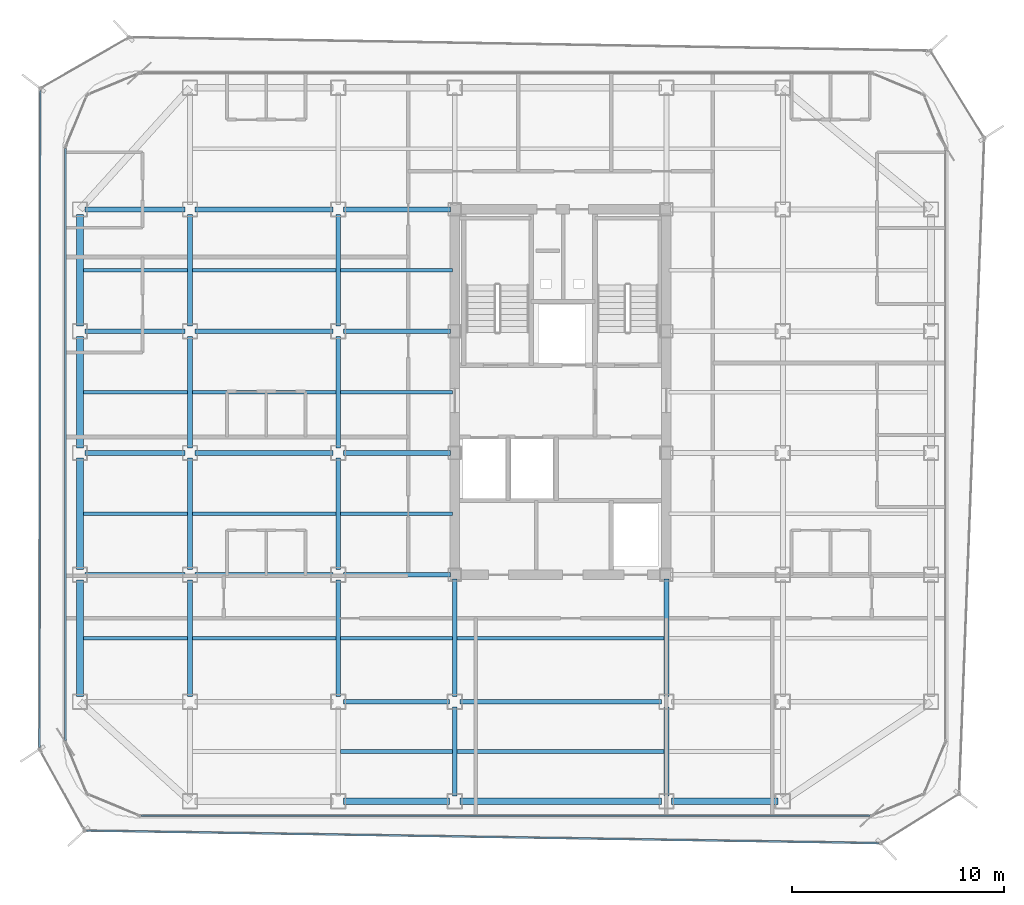
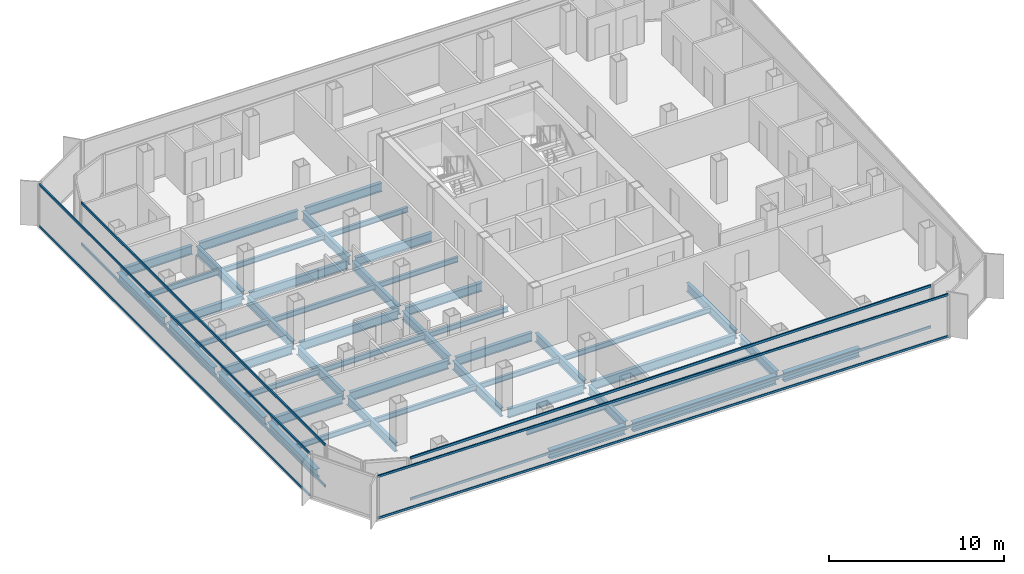
# One storey, part 3 of 15: 48 beams, 8 members, 4 elements without a shape of their own.
"""IFC4 building model written with IfcOpenShell, lengths in metres."""

from ifc_helpers import new_model, si_unit, direction, frame, origin, origin_2d, place, context, subcontext, project, spatial, hollow_rectangle, i_section, extrude, source, transform, mapped, material, layer, layer_set, material_profile, profile_set, type_object, element, aggregate, save


model = new_model("IFC4")

# Units and contexts
model_context = context("Model", 3, precision=1e-05, world=origin(), true_north=direction((0.0, 1.0)))
body_context = subcontext(model_context, "Body", "Model", "MODEL_VIEW")
ifc_project = project(units=[si_unit("LENGTHUNIT", "METRE"), si_unit("AREAUNIT", "SQUARE_METRE"), si_unit("VOLUMEUNIT", "CUBIC_METRE"), si_unit("PLANEANGLEUNIT", "RADIAN"), si_unit("MASSUNIT", "GRAM", prefix="KILO")], contexts=[model_context])

# Site, building, storey
site_placement = place(None, origin())
site = spatial("IfcSite", under=ifc_project, at=site_placement, CompositionType="ELEMENT")
building_placement = place(site_placement, origin())
building = spatial("IfcBuilding", under=site, at=building_placement, Name="Kolveth Station Tower", CompositionType="ELEMENT")
storey_placement = place(building_placement, frame((0.0, 0.0, 172.10009765625)))
storey = spatial("IfcBuildingStorey", under=building, at=storey_placement, Name="L48", CompositionType="ELEMENT", Elevation=172.10009765625)

# Beams
ifc_material_1 = material(Name="Steel S355", Category="steel")
ifc_material_profile_1 = material_profile(ifc_material_1, i_section(OverallWidth=0.323974609375, OverallDepth=0.611083984375, WebThickness=0.0126953125, FlangeThickness=0.01904296875, at=origin_2d()), Name="W610x155")
ifc_profile_set_1 = profile_set([ifc_material_profile_1], Name="Steel S355")
beam_type_1 = type_object("IfcBeamType", Name="Beam_SP2", PredefinedType="SPANDREL", material=ifc_profile_set_1)
shared_shape_1 = source(origin(), body_context, "Body", "SweptSolid", [
    extrude(i_section(OverallWidth=0.323974609375, OverallDepth=0.611083984375, WebThickness=0.0126953125, FlangeThickness=0.01904296875, at=origin_2d()), origin(), (0.0, 0.0, 1.0), 5.02001953125),
])
for number, where, z_axis, x_axis, name in (
    (1, (13.239990234375, 0.800048828125, -0.5556640625), (1.0, 0.0, 0.0), (0.0, 1.0, 0.0), "L48 Perimeter Spandrel BM-L48-PS-2"),
    (2, (28.739990234375, 0.800048828125, -0.5556640625), (1.0, 0.0, 0.0), (0.0, 1.0, 0.0), "L48 Perimeter Spandrel BM-L48-PS-4"),
):
    element("IfcBeam", number, at=place(storey_placement, frame(where, z_axis=z_axis, x_axis=x_axis)), inside=storey, type_object=beam_type_1, Name=name, PredefinedType="SPANDREL", context=body_context, shape_type="MappedRepresentation", body=[
        mapped(shared_shape_1, transform((0.0, 0.0, 0.0), x_axis=(1.0, 0.0, 0.0), y_axis=(0.0, 1.0, 0.0), z_axis=(0.0, 0.0, 1.0), scale=1.0)),
    ])
shared_shape_2 = source(origin(), body_context, "Body", "SweptSolid", [
    extrude(i_section(OverallWidth=0.323974609375, OverallDepth=0.611083984375, WebThickness=0.0126953125, FlangeThickness=0.01904296875, at=origin_2d()), origin(), (0.0, 0.0, 1.0), 9.52001953125),
])
beam_1_placement = place(storey_placement, frame((18.739990234375, 0.800048828125, -0.5556640625), z_axis=(1.0, 0.0, 0.0), x_axis=(0.0, 1.0, 0.0)))
element("IfcBeam", 3, at=beam_1_placement, inside=storey, type_object=beam_type_1, Name="L48 Perimeter Spandrel BM-L48-PS-3", PredefinedType="SPANDREL", context=body_context, shape_type="MappedRepresentation", body=[
    mapped(shared_shape_2, transform((0.0, 0.0, 0.0), x_axis=(1.0, 0.0, 0.0), y_axis=(0.0, 1.0, 0.0), z_axis=(0.0, 0.0, 1.0), scale=1.0)),
])
shared_shape_3 = source(origin(), body_context, "Body", "SweptSolid", [
    extrude(i_section(OverallWidth=0.323974609375, OverallDepth=0.611083984375, WebThickness=0.0126953125, FlangeThickness=0.01904296875, at=origin_2d()), origin(), (0.0, 0.0, 1.0), 5.52001953125),
])
beam_2_placement = place(storey_placement, frame((0.800048828125, 5.739990234375, -0.5556640625), z_axis=(0.0, 1.0, 0.0), x_axis=(-1.0, 0.0, 0.0)))
element("IfcBeam", 4, at=beam_2_placement, inside=storey, type_object=beam_type_1, Name="L48 Perimeter Spandrel BM-L48-PW-1", PredefinedType="SPANDREL", context=body_context, shape_type="MappedRepresentation", body=[
    mapped(shared_shape_3, transform((0.0, 0.0, 0.0), x_axis=(1.0, 0.0, 0.0), y_axis=(0.0, 1.0, 0.0), z_axis=(0.0, 0.0, 1.0), scale=1.0)),
])
shared_shape_4 = source(origin(), body_context, "Body", "SweptSolid", [
    extrude(i_section(OverallWidth=0.323974609375, OverallDepth=0.611083984375, WebThickness=0.0126953125, FlangeThickness=0.01904296875, at=origin_2d()), origin(), (0.0, 0.0, 1.0), 5.27001953125),
])
for number, where, z_axis, x_axis, name in (
    (5, (0.800048828125, 11.739990234375, -0.5556640625), (0.0, 1.0, 0.0), (-1.0, 0.0, 0.0), "L48 Perimeter Spandrel BM-L48-PW-2"),
    (6, (0.800048828125, 17.489990234375, -0.5556640625), (0.0, 1.0, 0.0), (-1.0, 0.0, 0.0), "L48 Perimeter Spandrel BM-L48-PW-3"),
    (7, (0.800048828125, 23.239990234375, -0.5556640625), (0.0, 1.0, 0.0), (-1.0, 0.0, 0.0), "L48 Perimeter Spandrel BM-L48-PW-4"),
):
    element("IfcBeam", number, at=place(storey_placement, frame(where, z_axis=z_axis, x_axis=x_axis)), inside=storey, type_object=beam_type_1, Name=name, PredefinedType="SPANDREL", context=body_context, shape_type="MappedRepresentation", body=[
        mapped(shared_shape_4, transform((0.0, 0.0, 0.0), x_axis=(1.0, 0.0, 0.0), y_axis=(0.0, 1.0, 0.0), z_axis=(0.0, 0.0, 1.0), scale=1.0)),
    ])
ifc_material_profile_2 = material_profile(ifc_material_1, i_section(OverallWidth=0.22900390625, OverallDepth=0.612060546875, WebThickness=0.011962890625, FlangeThickness=0.01953125, at=origin_2d()), Name="W610x125")
ifc_profile_set_2 = profile_set([ifc_material_profile_2], Name="Steel S355")
beam_type_2 = type_object("IfcBeamType", Name="Beam_B5", PredefinedType="BEAM", material=ifc_profile_set_2)
shared_shape_5 = source(origin(), body_context, "Body", "SweptSolid", [
    extrude(i_section(OverallWidth=0.22900390625, OverallDepth=0.612060546875, WebThickness=0.011962890625, FlangeThickness=0.01953125, at=origin_2d()), origin(), (0.0, 0.0, 1.0), 4.719970703125),
])
for number, where, z_axis, x_axis, name in (
    (8, (1.0400390625, 11.5, -0.55615234375), (1.0, 0.0, 0.0), (0.0, 1.0, 0.0), "L48 Primary Girder BM-L48-GY115-1"),
    (9, (1.0400390625, 17.25, -0.55615234375), (1.0, 0.0, 0.0), (0.0, 1.0, 0.0), "L48 Primary Girder BM-L48-GY172-1"),
    (10, (1.0400390625, 23.0, -0.55615234375), (1.0, 0.0, 0.0), (0.0, 1.0, 0.0), "L48 Primary Girder BM-L48-GY230-1"),
    (11, (1.0400390625, 28.75, -0.55615234375), (1.0, 0.0, 0.0), (0.0, 1.0, 0.0), "L48 Primary Girder BM-L48-GY287-1"),
):
    element("IfcBeam", number, at=place(storey_placement, frame(where, z_axis=z_axis, x_axis=x_axis)), inside=storey, type_object=beam_type_2, Name=name, PredefinedType="BEAM", context=body_context, shape_type="MappedRepresentation", body=[
        mapped(shared_shape_5, transform((0.0, 0.0, 0.0), x_axis=(1.0, 0.0, 0.0), y_axis=(0.0, 1.0, 0.0), z_axis=(0.0, 0.0, 1.0), scale=1.0)),
    ])
shared_shape_6 = source(origin(), body_context, "Body", "SweptSolid", [
    extrude(i_section(OverallWidth=0.22900390625, OverallDepth=0.612060546875, WebThickness=0.011962890625, FlangeThickness=0.01953125, at=origin_2d()), origin(), (0.0, 0.0, 1.0), 6.52001953125),
])
for number, where, z_axis, x_axis, name in (
    (12, (6.239990234375, 11.5, -0.55615234375), (1.0, 0.0, 0.0), (0.0, 1.0, 0.0), "L48 Primary Girder BM-L48-GY115-2"),
    (13, (6.239990234375, 17.25, -0.55615234375), (1.0, 0.0, 0.0), (0.0, 1.0, 0.0), "L48 Primary Girder BM-L48-GY172-2"),
    (14, (6.239990234375, 23.0, -0.55615234375), (1.0, 0.0, 0.0), (0.0, 1.0, 0.0), "L48 Primary Girder BM-L48-GY230-2"),
    (15, (6.239990234375, 28.75, -0.55615234375), (1.0, 0.0, 0.0), (0.0, 1.0, 0.0), "L48 Primary Girder BM-L48-GY287-2"),
):
    element("IfcBeam", number, at=place(storey_placement, frame(where, z_axis=z_axis, x_axis=x_axis)), inside=storey, type_object=beam_type_2, Name=name, PredefinedType="BEAM", context=body_context, shape_type="MappedRepresentation", body=[
        mapped(shared_shape_6, transform((0.0, 0.0, 0.0), x_axis=(1.0, 0.0, 0.0), y_axis=(0.0, 1.0, 0.0), z_axis=(0.0, 0.0, 1.0), scale=1.0)),
    ])
shared_shape_7 = source(origin(), body_context, "Body", "SweptSolid", [
    extrude(i_section(OverallWidth=0.22900390625, OverallDepth=0.612060546875, WebThickness=0.011962890625, FlangeThickness=0.01953125, at=origin_2d()), origin(), (0.0, 0.0, 1.0), 5.02001953125),
])
beam_3_placement = place(storey_placement, frame((13.239990234375, 5.5, -0.55615234375), z_axis=(1.0, 0.0, 0.0), x_axis=(0.0, 1.0, 0.0)))
element("IfcBeam", 16, at=beam_3_placement, inside=storey, type_object=beam_type_2, Name="L48 Primary Girder BM-L48-GY55-3", PredefinedType="BEAM", context=body_context, shape_type="MappedRepresentation", body=[
    mapped(shared_shape_7, transform((0.0, 0.0, 0.0), x_axis=(1.0, 0.0, 0.0), y_axis=(0.0, 1.0, 0.0), z_axis=(0.0, 0.0, 1.0), scale=1.0)),
])
shared_shape_8 = source(origin(), body_context, "Body", "SweptSolid", [
    extrude(i_section(OverallWidth=0.22900390625, OverallDepth=0.612060546875, WebThickness=0.011962890625, FlangeThickness=0.01953125, at=origin_2d()), origin(), (0.0, 0.0, 1.0), 9.52001953125),
])
beam_4_placement = place(storey_placement, frame((18.739990234375, 5.5, -0.55615234375), z_axis=(1.0, 0.0, 0.0), x_axis=(0.0, 1.0, 0.0)))
element("IfcBeam", 17, at=beam_4_placement, inside=storey, type_object=beam_type_2, Name="L48 Primary Girder BM-L48-GY55-4", PredefinedType="BEAM", context=body_context, shape_type="MappedRepresentation", body=[
    mapped(shared_shape_8, transform((0.0, 0.0, 0.0), x_axis=(1.0, 0.0, 0.0), y_axis=(0.0, 1.0, 0.0), z_axis=(0.0, 0.0, 1.0), scale=1.0)),
])
shared_shape_9 = source(origin(), body_context, "Body", "SweptSolid", [
    extrude(i_section(OverallWidth=0.22900390625, OverallDepth=0.612060546875, WebThickness=0.011962890625, FlangeThickness=0.01953125, at=origin_2d()), origin(), (0.0, 0.0, 1.0), 5.06005859375),
])
for number, where, z_axis, x_axis, name in (
    (18, (13.239990234375, 11.5, -0.55615234375), (1.0, 0.0, 0.0), (0.0, 1.0, 0.0), "L48 Primary Girder BM-L48-GY115-3"),
    (19, (13.239990234375, 17.25, -0.55615234375), (1.0, 0.0, 0.0), (0.0, 1.0, 0.0), "L48 Primary Girder BM-L48-GY172-3"),
    (20, (13.239990234375, 23.0, -0.55615234375), (1.0, 0.0, 0.0), (0.0, 1.0, 0.0), "L48 Primary Girder BM-L48-GY230-3"),
    (21, (13.239990234375, 28.75, -0.55615234375), (1.0, 0.0, 0.0), (0.0, 1.0, 0.0), "L48 Primary Girder BM-L48-GY287-3"),
):
    element("IfcBeam", number, at=place(storey_placement, frame(where, z_axis=z_axis, x_axis=x_axis)), inside=storey, type_object=beam_type_2, Name=name, PredefinedType="BEAM", context=body_context, shape_type="MappedRepresentation", body=[
        mapped(shared_shape_9, transform((0.0, 0.0, 0.0), x_axis=(1.0, 0.0, 0.0), y_axis=(0.0, 1.0, 0.0), z_axis=(0.0, 0.0, 1.0), scale=1.0)),
    ])
shared_shape_10 = source(origin(), body_context, "Body", "SweptSolid", [
    extrude(i_section(OverallWidth=0.22900390625, OverallDepth=0.612060546875, WebThickness=0.011962890625, FlangeThickness=0.01953125, at=origin_2d()), origin(), (0.0, 0.0, 1.0), 4.219970703125),
])
for number, where, z_axis, x_axis, name in (
    (22, (18.5, 1.0400390625, -0.55615234375), (0.0, 1.0, 0.0), (-1.0, 0.0, 0.0), "L48 Primary Girder BM-L48-GX185-1"),
    (23, (28.5, 1.0400390625, -0.55615234375), (0.0, 1.0, 0.0), (-1.0, 0.0, 0.0), "L48 Primary Girder BM-L48-GX285-1"),
):
    element("IfcBeam", number, at=place(storey_placement, frame(where, z_axis=z_axis, x_axis=x_axis)), inside=storey, type_object=beam_type_2, Name=name, PredefinedType="BEAM", context=body_context, shape_type="MappedRepresentation", body=[
        mapped(shared_shape_10, transform((0.0, 0.0, 0.0), x_axis=(1.0, 0.0, 0.0), y_axis=(0.0, 1.0, 0.0), z_axis=(0.0, 0.0, 1.0), scale=1.0)),
    ])
shared_shape_11 = source(origin(), body_context, "Body", "SweptSolid", [
    extrude(i_section(OverallWidth=0.22900390625, OverallDepth=0.612060546875, WebThickness=0.011962890625, FlangeThickness=0.01953125, at=origin_2d()), origin(), (0.0, 0.0, 1.0), 5.52001953125),
])
for number, where, z_axis, x_axis, name in (
    (24, (6.0, 5.739990234375, -0.55615234375), (0.0, 1.0, 0.0), (-1.0, 0.0, 0.0), "L48 Primary Girder BM-L48-GX60-2"),
    (25, (13.0, 5.739990234375, -0.55615234375), (0.0, 1.0, 0.0), (-1.0, 0.0, 0.0), "L48 Primary Girder BM-L48-GX130-2"),
):
    element("IfcBeam", number, at=place(storey_placement, frame(where, z_axis=z_axis, x_axis=x_axis)), inside=storey, type_object=beam_type_2, Name=name, PredefinedType="BEAM", context=body_context, shape_type="MappedRepresentation", body=[
        mapped(shared_shape_11, transform((0.0, 0.0, 0.0), x_axis=(1.0, 0.0, 0.0), y_axis=(0.0, 1.0, 0.0), z_axis=(0.0, 0.0, 1.0), scale=1.0)),
    ])
shared_shape_12 = source(origin(), body_context, "Body", "SweptSolid", [
    extrude(i_section(OverallWidth=0.22900390625, OverallDepth=0.612060546875, WebThickness=0.011962890625, FlangeThickness=0.01953125, at=origin_2d()), origin(), (0.0, 0.0, 1.0), 5.27001953125),
])
for number, where, z_axis, x_axis, name in (
    (26, (6.0, 11.739990234375, -0.55615234375), (0.0, 1.0, 0.0), (-1.0, 0.0, 0.0), "L48 Primary Girder BM-L48-GX60-3"),
    (27, (6.0, 17.489990234375, -0.55615234375), (0.0, 1.0, 0.0), (-1.0, 0.0, 0.0), "L48 Primary Girder BM-L48-GX60-4"),
    (28, (6.0, 23.239990234375, -0.55615234375), (0.0, 1.0, 0.0), (-1.0, 0.0, 0.0), "L48 Primary Girder BM-L48-GX60-5"),
    (29, (13.0, 11.739990234375, -0.55615234375), (0.0, 1.0, 0.0), (-1.0, 0.0, 0.0), "L48 Primary Girder BM-L48-GX130-3"),
    (30, (13.0, 17.489990234375, -0.55615234375), (0.0, 1.0, 0.0), (-1.0, 0.0, 0.0), "L48 Primary Girder BM-L48-GX130-4"),
    (31, (13.0, 23.239990234375, -0.55615234375), (0.0, 1.0, 0.0), (-1.0, 0.0, 0.0), "L48 Primary Girder BM-L48-GX130-5"),
):
    element("IfcBeam", number, at=place(storey_placement, frame(where, z_axis=z_axis, x_axis=x_axis)), inside=storey, type_object=beam_type_2, Name=name, PredefinedType="BEAM", context=body_context, shape_type="MappedRepresentation", body=[
        mapped(shared_shape_12, transform((0.0, 0.0, 0.0), x_axis=(1.0, 0.0, 0.0), y_axis=(0.0, 1.0, 0.0), z_axis=(0.0, 0.0, 1.0), scale=1.0)),
    ])
shared_shape_13 = source(origin(), body_context, "Body", "SweptSolid", [
    extrude(i_section(OverallWidth=0.22900390625, OverallDepth=0.612060546875, WebThickness=0.011962890625, FlangeThickness=0.01953125, at=origin_2d()), origin(), (0.0, 0.0, 1.0), 5.56005859375),
])
for number, where, z_axis, x_axis, name in (
    (32, (18.5, 5.739990234375, -0.55615234375), (0.0, 1.0, 0.0), (-1.0, 0.0, 0.0), "L48 Primary Girder BM-L48-GX185-2"),
    (33, (28.5, 5.739990234375, -0.55615234375), (0.0, 1.0, 0.0), (-1.0, 0.0, 0.0), "L48 Primary Girder BM-L48-GX285-2"),
):
    element("IfcBeam", number, at=place(storey_placement, frame(where, z_axis=z_axis, x_axis=x_axis)), inside=storey, type_object=beam_type_2, Name=name, PredefinedType="BEAM", context=body_context, shape_type="MappedRepresentation", body=[
        mapped(shared_shape_13, transform((0.0, 0.0, 0.0), x_axis=(1.0, 0.0, 0.0), y_axis=(0.0, 1.0, 0.0), z_axis=(0.0, 0.0, 1.0), scale=1.0)),
    ])
ifc_material_profile_3 = material_profile(ifc_material_1, i_section(OverallWidth=0.1708984375, OverallDepth=0.35205078125, WebThickness=0.0068359375, FlangeThickness=0.009765625, at=origin_2d()), Name="W360x44")
ifc_profile_set_3 = profile_set([ifc_material_profile_3], Name="Steel S355")
beam_type_3 = type_object("IfcBeamType", Name="Beam_J2", PredefinedType="JOIST", material=ifc_profile_set_3)
shared_shape_14 = source(origin(), body_context, "Body", "SweptSolid", [
    extrude(i_section(OverallWidth=0.1708984375, OverallDepth=0.35205078125, WebThickness=0.0068359375, FlangeThickness=0.009765625, at=origin_2d()), origin(), (0.0, 0.0, 1.0), 4.927490234375),
])
for number, where, z_axis, x_axis, name in (
    (34, (0.9599609375, 8.5, -0.426025390625), (1.0, 0.0, 0.0), (0.0, 1.0, 0.0), "L48 Secondary Joist JST-L48-1-2"),
    (35, (0.9599609375, 14.375, -0.426025390625), (1.0, 0.0, 0.0), (0.0, 1.0, 0.0), "L48 Secondary Joist JST-L48-1-3"),
    (36, (0.9599609375, 20.125, -0.426025390625), (1.0, 0.0, 0.0), (0.0, 1.0, 0.0), "L48 Secondary Joist JST-L48-1-4"),
    (37, (0.9599609375, 25.875, -0.426025390625), (1.0, 0.0, 0.0), (0.0, 1.0, 0.0), "L48 Secondary Joist JST-L48-1-5"),
):
    element("IfcBeam", number, at=place(storey_placement, frame(where, z_axis=z_axis, x_axis=x_axis)), inside=storey, type_object=beam_type_3, Name=name, PredefinedType="JOIST", context=body_context, shape_type="MappedRepresentation", body=[
        mapped(shared_shape_14, transform((0.0, 0.0, 0.0), x_axis=(1.0, 0.0, 0.0), y_axis=(0.0, 1.0, 0.0), z_axis=(0.0, 0.0, 1.0), scale=1.0)),
    ])
shared_shape_15 = source(origin(), body_context, "Body", "SweptSolid", [
    extrude(i_section(OverallWidth=0.1708984375, OverallDepth=0.35205078125, WebThickness=0.0068359375, FlangeThickness=0.009765625, at=origin_2d()), origin(), (0.0, 0.0, 1.0), 6.77490234375),
])
for number, where, z_axis, x_axis, name in (
    (38, (6.112548828125, 8.5, -0.426025390625), (1.0, 0.0, 0.0), (0.0, 1.0, 0.0), "L48 Secondary Joist JST-L48-2-2"),
    (39, (6.112548828125, 14.375, -0.426025390625), (1.0, 0.0, 0.0), (0.0, 1.0, 0.0), "L48 Secondary Joist JST-L48-2-3"),
    (40, (6.112548828125, 20.125, -0.426025390625), (1.0, 0.0, 0.0), (0.0, 1.0, 0.0), "L48 Secondary Joist JST-L48-2-4"),
    (41, (6.112548828125, 25.875, -0.426025390625), (1.0, 0.0, 0.0), (0.0, 1.0, 0.0), "L48 Secondary Joist JST-L48-2-5"),
):
    element("IfcBeam", number, at=place(storey_placement, frame(where, z_axis=z_axis, x_axis=x_axis)), inside=storey, type_object=beam_type_3, Name=name, PredefinedType="JOIST", context=body_context, shape_type="MappedRepresentation", body=[
        mapped(shared_shape_15, transform((0.0, 0.0, 0.0), x_axis=(1.0, 0.0, 0.0), y_axis=(0.0, 1.0, 0.0), z_axis=(0.0, 0.0, 1.0), scale=1.0)),
    ])
shared_shape_16 = source(origin(), body_context, "Body", "SweptSolid", [
    extrude(i_section(OverallWidth=0.1708984375, OverallDepth=0.35205078125, WebThickness=0.0068359375, FlangeThickness=0.009765625, at=origin_2d()), origin(), (0.0, 0.0, 1.0), 5.27490234375),
])
for number, where, z_axis, x_axis, name in (
    (42, (13.112548828125, 3.14990234375, -0.426025390625), (1.0, 0.0, 0.0), (0.0, 1.0, 0.0), "L48 Secondary Joist JST-L48-3-1"),
    (43, (13.112548828125, 8.5, -0.426025390625), (1.0, 0.0, 0.0), (0.0, 1.0, 0.0), "L48 Secondary Joist JST-L48-3-2"),
    (44, (13.112548828125, 14.375, -0.426025390625), (1.0, 0.0, 0.0), (0.0, 1.0, 0.0), "L48 Secondary Joist JST-L48-3-3"),
    (45, (13.112548828125, 20.125, -0.426025390625), (1.0, 0.0, 0.0), (0.0, 1.0, 0.0), "L48 Secondary Joist JST-L48-3-4"),
    (46, (13.112548828125, 25.875, -0.426025390625), (1.0, 0.0, 0.0), (0.0, 1.0, 0.0), "L48 Secondary Joist JST-L48-3-5"),
):
    element("IfcBeam", number, at=place(storey_placement, frame(where, z_axis=z_axis, x_axis=x_axis)), inside=storey, type_object=beam_type_3, Name=name, PredefinedType="JOIST", context=body_context, shape_type="MappedRepresentation", body=[
        mapped(shared_shape_16, transform((0.0, 0.0, 0.0), x_axis=(1.0, 0.0, 0.0), y_axis=(0.0, 1.0, 0.0), z_axis=(0.0, 0.0, 1.0), scale=1.0)),
    ])
shared_shape_17 = source(origin(), body_context, "Body", "SweptSolid", [
    extrude(i_section(OverallWidth=0.1708984375, OverallDepth=0.35205078125, WebThickness=0.0068359375, FlangeThickness=0.009765625, at=origin_2d()), origin(), (0.0, 0.0, 1.0), 9.77490234375),
])
for number, where, z_axis, x_axis, name in (
    (47, (18.612548828125, 3.14990234375, -0.426025390625), (1.0, 0.0, 0.0), (0.0, 1.0, 0.0), "L48 Secondary Joist JST-L48-4-1"),
    (48, (18.612548828125, 8.5, -0.426025390625), (1.0, 0.0, 0.0), (0.0, 1.0, 0.0), "L48 Secondary Joist JST-L48-4-2"),
):
    element("IfcBeam", number, at=place(storey_placement, frame(where, z_axis=z_axis, x_axis=x_axis)), inside=storey, type_object=beam_type_3, Name=name, PredefinedType="JOIST", context=body_context, shape_type="MappedRepresentation", body=[
        mapped(shared_shape_17, transform((0.0, 0.0, 0.0), x_axis=(1.0, 0.0, 0.0), y_axis=(0.0, 1.0, 0.0), z_axis=(0.0, 0.0, 1.0), scale=1.0)),
    ])

# Curtain wall, members
ifc_material_2 = material(Name="Aluminium 6063-T6 and low-E dark glass", Category="aluminium")
ifc_layer_1 = layer(ifc_material_2, 0.18994140625)
ifc_layer_set_1 = layer_set([ifc_layer_1], Name="Aluminium 6063-T6 and low-E dark glass")
curtain_wall_type_1 = type_object("IfcCurtainWallType", Name="CurtainWall_CW-Z2", PredefinedType="NOTDEFINED", material=ifc_layer_set_1)
curtain_wall_1_placement = place(storey_placement, origin())
curtain_wall_1 = element("IfcCurtainWall", 49, at=curtain_wall_1_placement, inside=storey, type_object=curtain_wall_type_1, Name="L48 Inner Thermal Curtain Wall 9", PredefinedType="NOTDEFINED")
ifc_material_3 = material(Name="Black anodized aluminium 6063-T6", Category="aluminium")
ifc_material_profile_4 = material_profile(ifc_material_3, hollow_rectangle(XDim=0.080078125, YDim=0.169921875, WallThickness=0.0048828125, at=origin_2d()), Name="ALU-80x170x5")
ifc_profile_set_4 = profile_set([ifc_material_profile_4], Name="Black anodized aluminium 6063-T6")
member_type_1 = type_object("IfcMemberType", Name="Transom_TR2", PredefinedType="USERDEFINED", material=ifc_profile_set_4)
shared_shape_18 = source(origin(), body_context, "Body", "SweptSolid", [
    extrude(hollow_rectangle(XDim=0.080078125, YDim=0.169921875, WallThickness=0.0048828125, at=origin_2d()), origin(), (0.0, 0.0, 1.0), 27.940185546875),
])
member_1_placement = place(storey_placement, frame((0.1201171875, 31.6201171875, 0.039794921875), z_axis=(0.0, -1.0, 0.0), x_axis=(1.0, 0.0, 0.0)))
member_1 = element("IfcMember", 50, at=member_1_placement, type_object=member_type_1, Name="CW-Z2 transom 1.1", ObjectType="TRANSOM", PredefinedType="USERDEFINED", context=body_context, shape_type="MappedRepresentation", body=[
    mapped(shared_shape_18, transform((0.0, 0.0, 0.0), x_axis=(1.0, 0.0, 0.0), y_axis=(0.0, 1.0, 0.0), z_axis=(0.0, 0.0, 1.0), scale=1.0)),
])
member_2_placement = place(storey_placement, frame((0.1201171875, 31.6201171875, 2.909912109375), z_axis=(0.0, -1.0, 0.0), x_axis=(1.0, 0.0, 0.0)))
member_2 = element("IfcMember", 51, at=member_2_placement, type_object=member_type_1, Name="CW-Z2 transom 1.2", ObjectType="TRANSOM", PredefinedType="USERDEFINED", context=body_context, shape_type="MappedRepresentation", body=[
    mapped(shared_shape_18, transform((0.0, 0.0, 0.0), x_axis=(1.0, 0.0, 0.0), y_axis=(0.0, 1.0, 0.0), z_axis=(0.0, 0.0, 1.0), scale=1.0)),
])
aggregate(curtain_wall_1, [member_1, member_2])

curtain_wall_2_placement = place(storey_placement, origin())
curtain_wall_2 = element("IfcCurtainWall", 52, at=curtain_wall_2_placement, inside=storey, type_object=curtain_wall_type_1, Name="L48 Inner Thermal Curtain Wall 12", PredefinedType="NOTDEFINED")
shared_shape_19 = source(origin(), body_context, "Body", "SweptSolid", [
    extrude(hollow_rectangle(XDim=0.080078125, YDim=0.169921875, WallThickness=0.0048828125, at=origin_2d()), origin(), (0.0, 0.0, 1.0), 34.440185546875),
])
member_3_placement = place(storey_placement, frame((3.679931640625, 0.1201171875, 0.039794921875), z_axis=(1.0, 0.0, 0.0), x_axis=(0.0, 1.0, 0.0)))
member_3 = element("IfcMember", 53, at=member_3_placement, type_object=member_type_1, Name="CW-Z2 transom 1.1", ObjectType="TRANSOM", PredefinedType="USERDEFINED", context=body_context, shape_type="MappedRepresentation", body=[
    mapped(shared_shape_19, transform((0.0, 0.0, 0.0), x_axis=(1.0, 0.0, 0.0), y_axis=(0.0, 1.0, 0.0), z_axis=(0.0, 0.0, 1.0), scale=1.0)),
])
member_4_placement = place(storey_placement, frame((3.679931640625, 0.1201171875, 2.909912109375), z_axis=(1.0, 0.0, 0.0), x_axis=(0.0, 1.0, 0.0)))
member_4 = element("IfcMember", 54, at=member_4_placement, type_object=member_type_1, Name="CW-Z2 transom 1.2", ObjectType="TRANSOM", PredefinedType="USERDEFINED", context=body_context, shape_type="MappedRepresentation", body=[
    mapped(shared_shape_19, transform((0.0, 0.0, 0.0), x_axis=(1.0, 0.0, 0.0), y_axis=(0.0, 1.0, 0.0), z_axis=(0.0, 0.0, 1.0), scale=1.0)),
])
aggregate(curtain_wall_2, [member_3, member_4])

ifc_material_4 = material(Name="Black anodized aluminium 6063-T6 and dark solar glass", Category="aluminium")
ifc_layer_2 = layer(ifc_material_4, 0.159912109375)
ifc_layer_set_2 = layer_set([ifc_layer_2], Name="Black anodized aluminium 6063-T6 and dark solar glass")
curtain_wall_type_2 = type_object("IfcCurtainWallType", Name="OUTER SKIN CW-OS", PredefinedType="NOTDEFINED", material=ifc_layer_set_2)
curtain_wall_3_placement = place(storey_placement, origin())
curtain_wall_3 = element("IfcCurtainWall", 55, at=curtain_wall_3_placement, inside=storey, type_object=curtain_wall_type_2, Name="L48 Outer Ventilated Skin Curtain Wall 6", PredefinedType="NOTDEFINED")
ifc_material_profile_5 = material_profile(ifc_material_3, hollow_rectangle(XDim=0.080078125, YDim=0.14990234375, WallThickness=0.0048828125, at=origin_2d()), Name="ALU-80x150x5")
ifc_profile_set_5 = profile_set([ifc_material_profile_5], Name="Black anodized aluminium 6063-T6")
member_type_2 = type_object("IfcMemberType", Name="Transom_TR-OS", PredefinedType="USERDEFINED", material=ifc_profile_set_5)
shared_shape_20 = source(origin(), body_context, "Body", "SweptSolid", [
    extrude(hollow_rectangle(XDim=0.080078125, YDim=0.14990234375, WallThickness=0.0048828125, at=origin_2d()), origin(), (0.0, 0.0, 1.0), 31.026611328125),
])
member_5_placement = place(storey_placement, frame((-1.072265625, 34.37451171875, 0.039794921875), z_axis=(-0.001054411815, -0.999999444108, 0.0), x_axis=(0.999999444108, -0.001054411815, 0.0)))
member_5 = element("IfcMember", 56, at=member_5_placement, type_object=member_type_2, Name="CW-OS transom 1.1", ObjectType="TRANSOM", PredefinedType="USERDEFINED", context=body_context, shape_type="MappedRepresentation", body=[
    mapped(shared_shape_20, transform((0.0, 0.0, 0.0), x_axis=(1.0, 0.0, 0.0), y_axis=(0.0, 1.0, 0.0), z_axis=(0.0, 0.0, 1.0), scale=1.0)),
])
member_6_placement = place(storey_placement, frame((-1.072265625, 34.37451171875, 2.949951171875), z_axis=(-0.001054411815, -0.999999444108, 0.0), x_axis=(0.999999444108, -0.001054411815, 0.0)))
member_6 = element("IfcMember", 57, at=member_6_placement, type_object=member_type_2, Name="CW-OS transom 1.2", ObjectType="TRANSOM", PredefinedType="USERDEFINED", context=body_context, shape_type="MappedRepresentation", body=[
    mapped(shared_shape_20, transform((0.0, 0.0, 0.0), x_axis=(1.0, 0.0, 0.0), y_axis=(0.0, 1.0, 0.0), z_axis=(0.0, 0.0, 1.0), scale=1.0)),
])
aggregate(curtain_wall_3, [member_5, member_6])

curtain_wall_4_placement = place(storey_placement, origin())
curtain_wall_4 = element("IfcCurtainWall", 58, at=curtain_wall_4_placement, inside=storey, type_object=curtain_wall_type_2, Name="L48 Outer Ventilated Skin Curtain Wall 8", PredefinedType="NOTDEFINED")
shared_shape_21 = source(origin(), body_context, "Body", "SweptSolid", [
    extrude(hollow_rectangle(XDim=0.080078125, YDim=0.14990234375, WallThickness=0.0048828125, at=origin_2d()), origin(), (0.0, 0.0, 1.0), 37.41796875),
])
member_7_placement = place(storey_placement, frame((1.1171875, -0.587646484375, 0.039794921875), z_axis=(0.999875231294, -0.015796260465, 0.0), x_axis=(0.015796260465, 0.999875231294, 0.0)))
member_7 = element("IfcMember", 59, at=member_7_placement, type_object=member_type_2, Name="CW-OS transom 1.1", ObjectType="TRANSOM", PredefinedType="USERDEFINED", context=body_context, shape_type="MappedRepresentation", body=[
    mapped(shared_shape_21, transform((0.0, 0.0, 0.0), x_axis=(1.0, 0.0, 0.0), y_axis=(0.0, 1.0, 0.0), z_axis=(0.0, 0.0, 1.0), scale=1.0)),
])
member_8_placement = place(storey_placement, frame((1.1171875, -0.587646484375, 2.949951171875), z_axis=(0.999875231294, -0.015796260465, 0.0), x_axis=(0.015796260465, 0.999875231294, 0.0)))
member_8 = element("IfcMember", 60, at=member_8_placement, type_object=member_type_2, Name="CW-OS transom 1.2", ObjectType="TRANSOM", PredefinedType="USERDEFINED", context=body_context, shape_type="MappedRepresentation", body=[
    mapped(shared_shape_21, transform((0.0, 0.0, 0.0), x_axis=(1.0, 0.0, 0.0), y_axis=(0.0, 1.0, 0.0), z_axis=(0.0, 0.0, 1.0), scale=1.0)),
])
aggregate(curtain_wall_4, [member_7, member_8])

save(model, "model.ifc")
